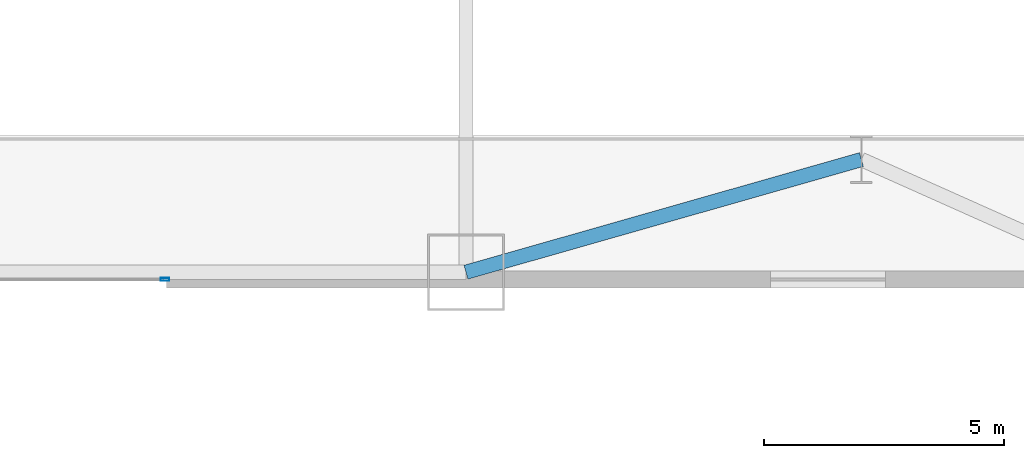
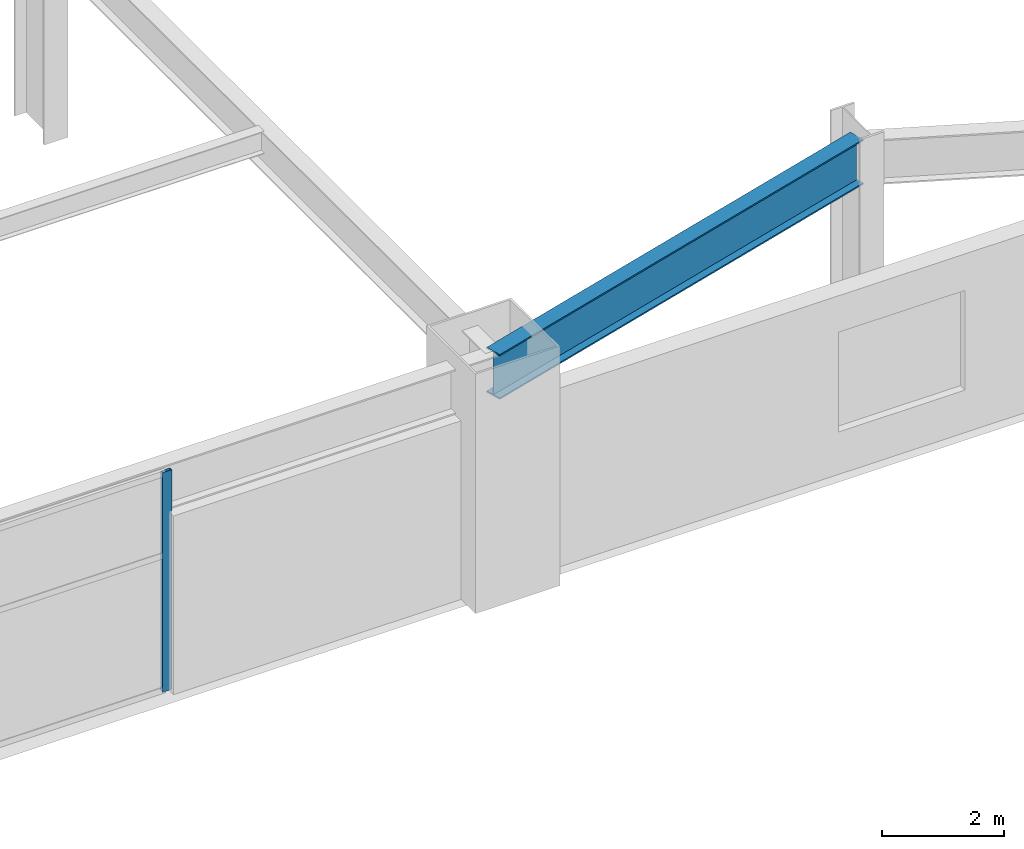
# One storey, part 6 of 30: 1 beam, 1 member, 1 element without a shape of its own.
"""IFC4 building model written with IfcOpenShell, lengths in metres."""

from ifc_helpers import new_model, si_unit, direction, frame, origin, origin_2d, place, context, subcontext, project, spatial, hollow_rectangle, i_section, extrude, material, layer, layer_set, material_profile, profile_set, type_object, element, aggregate, save


model = new_model("IFC4")

# Units and contexts
model_context = context("Model", 3, precision=1e-05, world=origin(), true_north=direction((0.0, 1.0)))
body_context = subcontext(model_context, "Body", "Model", "MODEL_VIEW")
ifc_project = project(units=[si_unit("LENGTHUNIT", "METRE"), si_unit("AREAUNIT", "SQUARE_METRE"), si_unit("VOLUMEUNIT", "CUBIC_METRE"), si_unit("PLANEANGLEUNIT", "RADIAN"), si_unit("MASSUNIT", "GRAM", prefix="KILO")], contexts=[model_context])

# Site, building, storey
site_placement = place(None, origin())
site = spatial("IfcSite", under=ifc_project, at=site_placement, CompositionType="ELEMENT")
building_placement = place(site_placement, origin())
building = spatial("IfcBuilding", under=site, at=building_placement, Name="Haevon Station Towers", CompositionType="ELEMENT")
storey_placement = place(building_placement, frame((0.0, 0.0, 15.60009765625)))
storey = spatial("IfcBuildingStorey", under=building, at=storey_placement, Name="L03", CompositionType="ELEMENT", Elevation=15.60009765625)

# Beam
ifc_material_1 = material(Name="Steel S355", Category="steel")
ifc_material_profile_1 = material_profile(ifc_material_1, i_section(OverallWidth=0.300048828125, OverallDepth=0.89990234375, WebThickness=0.01611328125, FlangeThickness=0.028076171875, at=origin_2d()), Name="H-900x300x16x28")
ifc_profile_set_1 = profile_set([ifc_material_profile_1], Name="Steel S355")
beam_type = type_object("IfcBeamType", Name="BM-PG900", PredefinedType="BEAM", material=ifc_profile_set_1)
beam_placement = place(storey_placement, frame((64.75, 15.14990234375, 4.0498046875), z_axis=(0.961740592782, 0.273961734911, 0.0), x_axis=(-0.273961734911, 0.961740592782, 0.0)))
element("IfcBeam", 1, at=beam_placement, inside=storey, type_object=beam_type, Name="BM-PODLKS1-L03", PredefinedType="BEAM", context=body_context, shape_type="SweptSolid", body=[
    extrude(i_section(OverallWidth=0.300048828125, OverallDepth=0.89990234375, WebThickness=0.01611328125, FlangeThickness=0.028076171875, at=origin_2d()), origin(), (0.0, 0.0, 1.0), 8.578125),
])

# Curtain wall, member
ifc_material_2 = material(Name="Anodised aluminium and Low-E double glazing", Category="aluminium")
ifc_layer = layer(ifc_material_2, 0.179931640625)
ifc_layer_set = layer_set([ifc_layer], Name="Anodised aluminium and Low-E double glazing")
curtain_wall_type = type_object("IfcCurtainWallType", Name="CW-SYS2", PredefinedType="NOTDEFINED", material=ifc_layer_set)
curtain_wall_placement = place(storey_placement, origin())
curtain_wall = element("IfcCurtainWall", 2, at=curtain_wall_placement, inside=storey, type_object=curtain_wall_type, Name="L03 Curtain Wall CW-POD-L03-S2", PredefinedType="NOTDEFINED")
ifc_material_3 = material(Name="Anodised aluminium 6063-T6", Category="aluminium")
ifc_material_profile_2 = material_profile(ifc_material_3, hollow_rectangle(XDim=0.06494140625, YDim=0.179931640625, WallThickness=0.00390625, at=origin_2d()), Name="CWM-180x65x4")
ifc_profile_set_2 = profile_set([ifc_material_profile_2], Name="Anodised aluminium 6063-T6")
member_type = type_object("IfcMemberType", Name="CWM-180", PredefinedType="MULLION", material=ifc_profile_set_2)
member_placement = place(storey_placement, frame((58.467529296875, 15.0, 0.0), z_axis=(0.0, 0.0, 1.0), x_axis=(0.0, -1.0, 0.0)))
member = element("IfcMember", 3, at=member_placement, type_object=member_type, Name="CW-SYS2 mullion 1", PredefinedType="MULLION", context=body_context, shape_type="SweptSolid", body=[
    extrude(hollow_rectangle(XDim=0.06494140625, YDim=0.179931640625, WallThickness=0.00390625, at=origin_2d()), origin(), (0.0, 0.0, 1.0), 4.39990234375),
])
aggregate(curtain_wall, [member])

save(model, "model.ifc")
